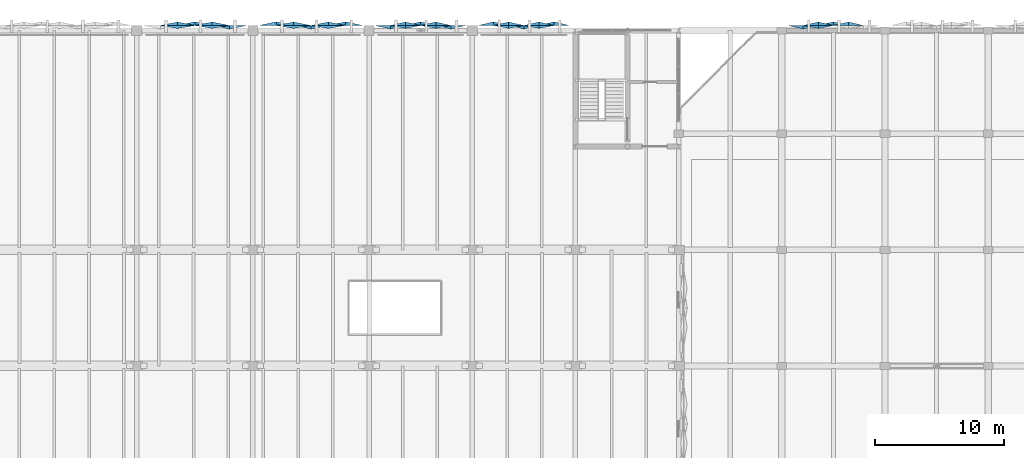
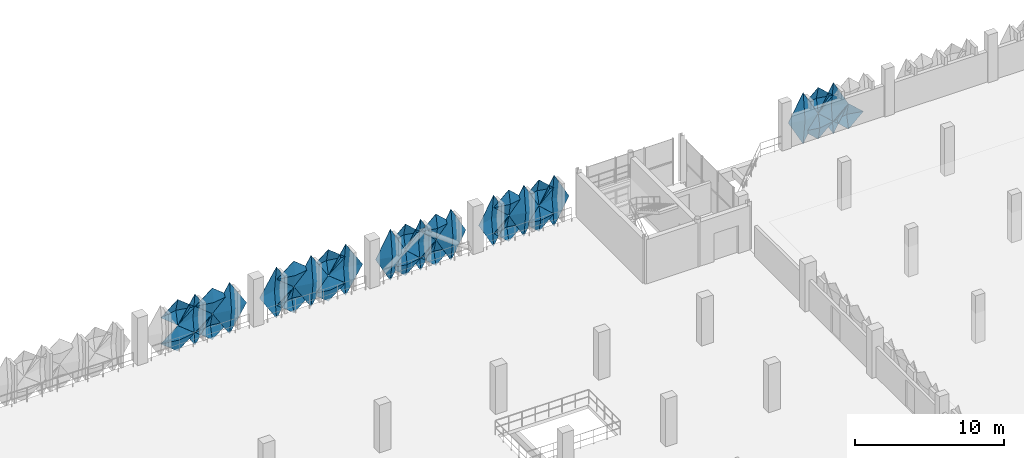
# One storey, part 104 of 123: 32 plates.
"""IFC4 building model written with IfcOpenShell, lengths in metres."""

import ifcopenshell
import ifcopenshell.guid

model = None  # the IFC model being written
_history = None  # IfcOwnerHistory: only IFC2X3 demands one
_inside = {}  # id of a spatial element -> (the spatial element, [elements in it])
_under = {}  # id of a project, library or spatial element -> (it, [spatial elements below it])
_declared = {}  # id of a project -> (the project, [libraries it declares])
_typed = {}  # id of a type object -> (the type object, [elements of that type])
_made_of = {}  # id of a material, layer set ... -> (it, [elements and type objects made of it])


def new_model(schema):
    """Start an empty IFC model of exactly this schema.

    Asked for "IFC4X3", IfcOpenShell would pick the latest addendum, in which some entities
    have other attributes; the version numbers below select the first issue.
    IFC2X3 requires an IfcOwnerHistory on every rooted entity: one is made here for all.
    """
    global model, _history
    if schema == "IFC4X3":
        model = ifcopenshell.file(schema_version=(4, 3, 0, 0))
    else:
        model = ifcopenshell.file(schema=schema)
    _inside.clear()
    _under.clear()
    _declared.clear()
    _typed.clear()
    _made_of.clear()
    _history = None
    if model.schema == "IFC2X3":
        org = make("IfcOrganization", Name="unknown")
        user = make(
            "IfcPersonAndOrganization",
            ThePerson=make("IfcPerson", FamilyName="unknown"),
            TheOrganization=org,
        )
        app = make(
            "IfcApplication",
            ApplicationDeveloper=org,
            Version="unknown",
            ApplicationFullName="unknown",
            ApplicationIdentifier="unknown",
        )
        _history = make(
            "IfcOwnerHistory",
            OwningUser=user,
            OwningApplication=app,
            ChangeAction="ADDED",
            CreationDate=0,
        )
    return model


def make(cls, **values):
    """One entity of the class cls with the attributes given. An attribute that is None is left unset."""
    return model.create_entity(
        cls, **{name: value for name, value in values.items() if value is not None}
    )


def rooted(cls, **values):
    """An entity with a GlobalId (a new one), such as an element, a storey or a relation."""
    return make(cls, GlobalId=ifcopenshell.guid.new(), OwnerHistory=_history, **values)


def si_unit(unit_type, name, prefix=None):
    """IfcSIUnit, for example si_unit("LENGTHUNIT", "METRE", prefix="MILLI")."""
    return make("IfcSIUnit", UnitType=unit_type, Prefix=prefix, Name=name)


def derived_unit(unit_type, elements):
    """IfcDerivedUnit: a product of units, each with its exponent."""
    return make(
        "IfcDerivedUnit",
        Elements=[
            make("IfcDerivedUnitElement", Unit=unit, Exponent=power)
            for unit, power in elements
        ],
        UnitType=unit_type,
    )


def assignment(units):
    """IfcUnitAssignment: the units of a project."""
    return None if units is None else make("IfcUnitAssignment", Units=units)


def point(xyz):
    """IfcCartesianPoint."""
    return None if xyz is None else make("IfcCartesianPoint", Coordinates=xyz)


def direction(xyz):
    """IfcDirection."""
    return None if xyz is None else make("IfcDirection", DirectionRatios=xyz)


def frame(location, z_axis=None, x_axis=None):
    """IfcAxis2Placement3D, a coordinate frame: its origin and axes. An axis left out is left unset."""
    return make(
        "IfcAxis2Placement3D",
        Location=point(location),
        Axis=direction(z_axis),
        RefDirection=direction(x_axis),
    )


def origin():
    """The frame at (0, 0, 0) with its axes left unset."""
    return frame((0.0, 0.0, 0.0))


def place(relative_to, where):
    """IfcLocalPlacement: puts the frame where relative to a parent placement (None: the world)."""
    return make(
        "IfcLocalPlacement", PlacementRelTo=relative_to, RelativePlacement=where
    )


def context(
    kind, dimensions, precision=None, world=None, true_north=None, identifier=None
):
    """IfcGeometricRepresentationContext, for example the 3D "Model" context."""
    return make(
        "IfcGeometricRepresentationContext",
        ContextIdentifier=identifier,
        ContextType=kind,
        CoordinateSpaceDimension=dimensions,
        Precision=precision,
        WorldCoordinateSystem=world,
        TrueNorth=true_north,
    )


def subcontext(parent, identifier, kind, view, scale=None):
    """IfcGeometricRepresentationSubContext, for example "Body" below "Model"."""
    return make(
        "IfcGeometricRepresentationSubContext",
        ContextIdentifier=identifier,
        ContextType=kind,
        ParentContext=parent,
        TargetScale=scale,
        TargetView=view,
    )


def project(units=None, contexts=None):
    """IfcProject with its units and contexts."""
    return rooted(
        "IfcProject",
        Name="project",
        RepresentationContexts=contexts,
        UnitsInContext=assignment(units),
    )


def spatial(cls, under=None, at=None, **own):
    """A site, building, storey or space (cls), placed at a placement, below another one or the project."""
    s = rooted(cls, ObjectPlacement=at, **own)
    if under is not None:
        _under.setdefault(under.id(), (under, []))[1].append(s)
    return s


def point_list(points):
    """IfcCartesianPointList2D or 3D."""
    cls = (
        "IfcCartesianPointList2D" if len(points[0]) == 2 else "IfcCartesianPointList3D"
    )
    return make(cls, CoordList=points)


def polygons(points, faces, closed=None, point_numbers=None):
    """IfcPolygonalFaceSet: a face is its outer loop, then its inner loops; points numbered from 1."""
    made = []
    for loops in faces:
        if len(loops) == 1:
            made.append(make("IfcIndexedPolygonalFace", CoordIndex=loops[0]))
        else:
            made.append(
                make(
                    "IfcIndexedPolygonalFaceWithVoids",
                    CoordIndex=loops[0],
                    InnerCoordIndices=loops[1:],
                )
            )
    return make(
        "IfcPolygonalFaceSet",
        Coordinates=point_list(points),
        Closed=closed,
        Faces=made,
        PnIndex=point_numbers,
    )


def shape(context_of_items, identifier, shape_type, items):
    """IfcShapeRepresentation: the items that make up one representation, for example the "Body"."""
    return make(
        "IfcShapeRepresentation",
        ContextOfItems=context_of_items,
        RepresentationIdentifier=identifier,
        RepresentationType=shape_type,
        Items=items,
    )


def material(Name=None, Category=None):
    """IfcMaterial."""
    return make("IfcMaterial", Name=Name, Category=Category)


def layer(
    of_material, thickness, ventilated=None, Name=None, Category=None, Priority=None
):
    """IfcMaterialLayer: one layer of a wall or slab, of a material (None: an air gap)."""
    return make(
        "IfcMaterialLayer",
        Material=of_material,
        LayerThickness=thickness,
        IsVentilated=ventilated,
        Name=Name,
        Category=Category,
        Priority=Priority,
    )


def layer_set(layers, Name=None):
    """IfcMaterialLayerSet."""
    return make("IfcMaterialLayerSet", MaterialLayers=layers, LayerSetName=Name)


def made_of(thing, what):
    """Note that an element or type object is made of a material, layer set ...; save() writes the relation."""
    if what is not None:
        _made_of.setdefault(what.id(), (what, []))[1].append(thing)
    return thing


def type_object(cls, material=None, **own):
    """A type object (cls), such as IfcWallType, which elements share."""
    return made_of(rooted(cls, **own), material)


def element(
    cls,
    number,
    at=None,
    inside=None,
    cuts=None,
    type_object=None,
    material=None,
    context=None,
    identifier="Body",
    shape_type=None,
    held_by="IfcProductDefinitionShape",
    body=None,
    shapes=None,
    **own,
):
    """One element of the class cls, such as IfcWall. Its Tag is "e" and its number.

    at: its placement. inside: the storey or other place that contains it. cuts: it is an
    opening in that element (IfcRelVoidsElement). A single representation is given by context,
    identifier, shape_type and body (its items); several are given by shapes. held_by: the class
    of the entity that holds the representations. save() writes the other relations.
    """
    e = rooted(cls, Tag="e%d" % number, ObjectPlacement=at, **own)
    if body is not None:
        shapes = [shape(context, identifier, shape_type, body)]
    if shapes is not None:
        e.Representation = make(held_by, Representations=shapes)
    if inside is not None:
        _inside.setdefault(inside.id(), (inside, []))[1].append(e)
    if cuts is not None:
        rooted(
            "IfcRelVoidsElement", RelatingBuildingElement=cuts, RelatedOpeningElement=e
        )
    if type_object is not None:
        _typed.setdefault(type_object.id(), (type_object, []))[1].append(e)
    return made_of(e, material)


def aggregate(whole, parts):
    """IfcRelAggregates: a whole, such as a stair, and the parts it consists of."""
    return rooted("IfcRelAggregates", RelatingObject=whole, RelatedObjects=parts)


def save(model, path):
    """Write the relations noted so far, then the file.

    IfcRelAggregates (storeys below a building ...), IfcRelContainedInSpatialStructure (elements
    in a storey), IfcRelDefinesByType, IfcRelAssociatesMaterial and IfcRelDeclares: one each for
    every whole, place, type object, material and project.
    """
    for whole, parts in _under.values():
        aggregate(whole, parts)
    for where, things in _inside.values():
        rooted(
            "IfcRelContainedInSpatialStructure",
            RelatedElements=things,
            RelatingStructure=where,
        )
    for kind, things in _typed.values():
        rooted("IfcRelDefinesByType", RelatedObjects=things, RelatingType=kind)
    for what, things in _made_of.values():
        rooted("IfcRelAssociatesMaterial", RelatedObjects=things, RelatingMaterial=what)
    for by, libraries in _declared.values():
        rooted("IfcRelDeclares", RelatingContext=by, RelatedDefinitions=libraries)
    model.write(path)


model = new_model("IFC4")

# Units and contexts
model_context = context("Model", 3, precision=1e-05, world=origin(), true_north=direction((0.0, 1.0)))
body_context = subcontext(model_context, "Body", "Model", "MODEL_VIEW")
ifc_project = project(units=[si_unit("LENGTHUNIT", "METRE"), si_unit("AREAUNIT", "SQUARE_METRE"), si_unit("VOLUMEUNIT", "CUBIC_METRE"), si_unit("PLANEANGLEUNIT", "RADIAN"), si_unit("MASSUNIT", "GRAM", prefix="KILO"), si_unit("THERMODYNAMICTEMPERATUREUNIT", "KELVIN"), derived_unit("THERMALTRANSMITTANCEUNIT", [(si_unit("POWERUNIT", "WATT"), 1), (si_unit("AREAUNIT", "SQUARE_METRE"), -1), (si_unit("THERMODYNAMICTEMPERATUREUNIT", "KELVIN"), -1)])], contexts=[model_context])

# Site, building, storey
site_placement = place(None, origin())
site = spatial("IfcSite", under=ifc_project, at=site_placement, CompositionType="ELEMENT")
building_placement = place(site_placement, origin())
building = spatial("IfcBuilding", under=site, at=building_placement, Name="Haiyu Intermodal Mobility Hub", CompositionType="ELEMENT")
storey_placement = place(building_placement, frame((0.0, 0.0, 5.60009765625)))
storey = spatial("IfcBuildingStorey", under=building, at=storey_placement, Name="L01", CompositionType="ELEMENT", Elevation=5.60009765625)

# Plates
ifc_material = material(Name="Anodised aluminium 6063-T6", Category="aluminium")
ifc_layer_1 = layer(ifc_material, 0.01806640625)
ifc_layer_set_1 = layer_set([ifc_layer_1], Name="Anodised aluminium 6063-T6")
plate_type_1 = type_object("IfcPlateType", Name="PLT-FC03", PredefinedType="USERDEFINED", material=ifc_layer_set_1)
plate_1_placement = place(storey_placement, origin())
element("IfcPlate", 1, at=plate_1_placement, inside=storey, type_object=plate_type_1, Name="PLT-PYR-0382", ObjectType="FACADE CASSETTE", PredefinedType="USERDEFINED", context=body_context, shape_type="Tessellation", body=[
    polygons([(125.840087890625, 148.39990234375, -0.52001953125), (124.52001953125, 148.39990234375, 0.52978515625), (125.840087890625, 148.39990234375, 1.579833984375), (127.159912109375, 148.39990234375, 0.52978515625), (125.840087890625, 148.659912109375, 0.52978515625), (125.840087890625, 148.3779296875, -0.52001953125), (124.52001953125, 148.3779296875, 0.52978515625), (125.840087890625, 148.3779296875, 1.579833984375), (127.159912109375, 148.3779296875, 0.52978515625), (125.840087890625, 148.637939453125, 0.52978515625)], [[[1, 2, 5]], [[2, 3, 5]], [[3, 4, 5]], [[4, 1, 5]], [[7, 6, 10]], [[8, 7, 10]], [[9, 8, 10]], [[6, 9, 10]], [[1, 6, 7, 2]], [[2, 7, 8, 3]], [[3, 8, 9, 4]], [[4, 9, 6, 1]]], closed=True),
])
plate_2_placement = place(storey_placement, origin())
element("IfcPlate", 2, at=plate_2_placement, inside=storey, type_object=plate_type_1, Name="PLT-PYR-0416", ObjectType="FACADE CASSETTE", PredefinedType="USERDEFINED", context=body_context, shape_type="Tessellation", body=[
    polygons([(136.179931640625, 148.39990234375, -0.510009765625), (134.860107421875, 148.39990234375, 1.599853515625), (136.179931640625, 148.39990234375, 3.7099609375), (137.5, 148.39990234375, 1.599853515625), (136.179931640625, 148.679931640625, 1.599853515625), (136.179931640625, 148.3779296875, -0.510009765625), (134.860107421875, 148.3779296875, 1.599853515625), (136.179931640625, 148.3779296875, 3.7099609375), (137.5, 148.3779296875, 1.599853515625), (136.179931640625, 148.657958984375, 1.599853515625)], [[[1, 2, 5]], [[2, 3, 5]], [[3, 4, 5]], [[4, 1, 5]], [[7, 6, 10]], [[8, 7, 10]], [[9, 8, 10]], [[6, 9, 10]], [[1, 6, 7, 2]], [[2, 7, 8, 3]], [[3, 8, 9, 4]], [[4, 9, 6, 1]]], closed=True),
])
plate_3_placement = place(storey_placement, origin())
element("IfcPlate", 3, at=plate_3_placement, inside=storey, type_object=plate_type_1, Name="PLT-PYR-0420", ObjectType="FACADE CASSETTE", PredefinedType="USERDEFINED", context=body_context, shape_type="Tessellation", body=[
    polygons([(132.159912109375, 148.39990234375, -0.52001953125), (130.840087890625, 148.39990234375, 0.52978515625), (132.159912109375, 148.39990234375, 1.579833984375), (133.47998046875, 148.39990234375, 0.52978515625), (132.159912109375, 148.659912109375, 0.52978515625), (132.159912109375, 148.3779296875, -0.52001953125), (130.840087890625, 148.3779296875, 0.52978515625), (132.159912109375, 148.3779296875, 1.579833984375), (133.47998046875, 148.3779296875, 0.52978515625), (132.159912109375, 148.637939453125, 0.52978515625)], [[[1, 2, 5]], [[2, 3, 5]], [[3, 4, 5]], [[4, 1, 5]], [[7, 6, 10]], [[8, 7, 10]], [[9, 8, 10]], [[6, 9, 10]], [[1, 6, 7, 2]], [[2, 7, 8, 3]], [[3, 8, 9, 4]], [[4, 9, 6, 1]]], closed=True),
])
plate_4_placement = place(storey_placement, origin())
element("IfcPlate", 4, at=plate_4_placement, inside=storey, type_object=plate_type_1, Name="PLT-PYR-0452", ObjectType="FACADE CASSETTE", PredefinedType="USERDEFINED", context=body_context, shape_type="Tessellation", body=[
    polygons([(143.173095703125, 148.39990234375, -0.52001953125), (142.02001953125, 148.39990234375, 0.52978515625), (143.173095703125, 148.39990234375, 1.579833984375), (144.326904296875, 148.39990234375, 0.52978515625), (143.173095703125, 148.659912109375, 0.52978515625), (143.173095703125, 148.3779296875, -0.52001953125), (142.02001953125, 148.3779296875, 0.52978515625), (143.173095703125, 148.3779296875, 1.579833984375), (144.326904296875, 148.3779296875, 0.52978515625), (143.173095703125, 148.637939453125, 0.52978515625)], [[[1, 2, 5]], [[2, 3, 5]], [[3, 4, 5]], [[4, 1, 5]], [[7, 6, 10]], [[8, 7, 10]], [[9, 8, 10]], [[6, 9, 10]], [[1, 6, 7, 2]], [[2, 7, 8, 3]], [[3, 8, 9, 4]], [[4, 9, 6, 1]]], closed=True),
])
plate_5_placement = place(storey_placement, origin())
element("IfcPlate", 5, at=plate_5_placement, inside=storey, type_object=plate_type_1, Name="PLT-PYR-0486", ObjectType="FACADE CASSETTE", PredefinedType="USERDEFINED", context=body_context, shape_type="Tessellation", body=[
    polygons([(152.346923828125, 148.39990234375, -0.510009765625), (151.193115234375, 148.39990234375, 1.599853515625), (152.346923828125, 148.39990234375, 3.7099609375), (153.5, 148.39990234375, 1.599853515625), (152.346923828125, 148.679931640625, 1.599853515625), (152.346923828125, 148.3779296875, -0.510009765625), (151.193115234375, 148.3779296875, 1.599853515625), (152.346923828125, 148.3779296875, 3.7099609375), (153.5, 148.3779296875, 1.599853515625), (152.346923828125, 148.657958984375, 1.599853515625)], [[[1, 2, 5]], [[2, 3, 5]], [[3, 4, 5]], [[4, 1, 5]], [[7, 6, 10]], [[8, 7, 10]], [[9, 8, 10]], [[6, 9, 10]], [[1, 6, 7, 2]], [[2, 7, 8, 3]], [[3, 8, 9, 4]], [[4, 9, 6, 1]]], closed=True),
])
plate_6_placement = place(storey_placement, origin())
element("IfcPlate", 6, at=plate_6_placement, inside=storey, type_object=plate_type_1, Name="PLT-PYR-0490", ObjectType="FACADE CASSETTE", PredefinedType="USERDEFINED", context=body_context, shape_type="Tessellation", body=[
    polygons([(148.826904296875, 148.39990234375, -0.52001953125), (147.673095703125, 148.39990234375, 0.52978515625), (148.826904296875, 148.39990234375, 1.579833984375), (149.97998046875, 148.39990234375, 0.52978515625), (148.826904296875, 148.659912109375, 0.52978515625), (148.826904296875, 148.3779296875, -0.52001953125), (147.673095703125, 148.3779296875, 0.52978515625), (148.826904296875, 148.3779296875, 1.579833984375), (149.97998046875, 148.3779296875, 0.52978515625), (148.826904296875, 148.637939453125, 0.52978515625)], [[[1, 2, 5]], [[2, 3, 5]], [[3, 4, 5]], [[4, 1, 5]], [[7, 6, 10]], [[8, 7, 10]], [[9, 8, 10]], [[6, 9, 10]], [[1, 6, 7, 2]], [[2, 7, 8, 3]], [[3, 8, 9, 4]], [[4, 9, 6, 1]]], closed=True),
])
plate_7_placement = place(storey_placement, origin())
element("IfcPlate", 7, at=plate_7_placement, inside=storey, type_object=plate_type_1, Name="PLT-PYR-1072", ObjectType="FACADE CASSETTE", PredefinedType="USERDEFINED", context=body_context, shape_type="Tessellation", body=[
    polygons([(175.173095703125, 148.39990234375, -0.52001953125), (174.02001953125, 148.39990234375, 0.52978515625), (175.173095703125, 148.39990234375, 1.579833984375), (176.326904296875, 148.39990234375, 0.52978515625), (175.173095703125, 148.659912109375, 0.52978515625), (175.173095703125, 148.3779296875, -0.52001953125), (174.02001953125, 148.3779296875, 0.52978515625), (175.173095703125, 148.3779296875, 1.579833984375), (176.326904296875, 148.3779296875, 0.52978515625), (175.173095703125, 148.637939453125, 0.52978515625)], [[[1, 2, 5]], [[2, 3, 5]], [[3, 4, 5]], [[4, 1, 5]], [[7, 6, 10]], [[8, 7, 10]], [[9, 8, 10]], [[6, 9, 10]], [[1, 6, 7, 2]], [[2, 7, 8, 3]], [[3, 8, 9, 4]], [[4, 9, 6, 1]]], closed=True),
])
ifc_layer_2 = layer(ifc_material, 0.02001953125)
ifc_layer_set_2 = layer_set([ifc_layer_2], Name="Anodised aluminium 6063-T6")
plate_type_2 = type_object("IfcPlateType", Name="PLT-FC04", PredefinedType="USERDEFINED", material=ifc_layer_set_2)
plate_8_placement = place(storey_placement, origin())
element("IfcPlate", 8, at=plate_8_placement, inside=storey, type_object=plate_type_2, Name="PLT-PYR-0381", ObjectType="FACADE CASSETTE", PredefinedType="USERDEFINED", context=body_context, shape_type="Tessellation", body=[
    polygons([(127.179931640625, 148.39990234375, -0.510009765625), (125.860107421875, 148.39990234375, 1.599853515625), (127.179931640625, 148.39990234375, 3.7099609375), (128.5, 148.39990234375, 1.599853515625), (127.179931640625, 148.139892578125, 1.599853515625), (127.179931640625, 148.3779296875, -0.510009765625), (125.860107421875, 148.3779296875, 1.599853515625), (127.179931640625, 148.3779296875, 3.7099609375), (128.5, 148.3779296875, 1.599853515625), (127.179931640625, 148.117919921875, 1.599853515625)], [[[1, 2, 5]], [[2, 3, 5]], [[3, 4, 5]], [[4, 1, 5]], [[7, 6, 10]], [[8, 7, 10]], [[9, 8, 10]], [[6, 9, 10]], [[1, 6, 7, 2]], [[2, 7, 8, 3]], [[3, 8, 9, 4]], [[4, 9, 6, 1]]], closed=True),
])
plate_9_placement = place(storey_placement, origin())
element("IfcPlate", 9, at=plate_9_placement, inside=storey, type_object=plate_type_2, Name="PLT-PYR-0385", ObjectType="FACADE CASSETTE", PredefinedType="USERDEFINED", context=body_context, shape_type="Tessellation", body=[
    polygons([(123.159912109375, 148.39990234375, -0.52001953125), (121.840087890625, 148.39990234375, 0.52978515625), (123.159912109375, 148.39990234375, 1.579833984375), (124.47998046875, 148.39990234375, 0.52978515625), (123.159912109375, 148.179931640625, 0.52978515625), (123.159912109375, 148.3779296875, -0.52001953125), (121.840087890625, 148.3779296875, 0.52978515625), (123.159912109375, 148.3779296875, 1.579833984375), (124.47998046875, 148.3779296875, 0.52978515625), (123.159912109375, 148.157958984375, 0.52978515625)], [[[1, 2, 5]], [[2, 3, 5]], [[3, 4, 5]], [[4, 1, 5]], [[7, 6, 10]], [[8, 7, 10]], [[9, 8, 10]], [[6, 9, 10]], [[1, 6, 7, 2]], [[2, 7, 8, 3]], [[3, 8, 9, 4]], [[4, 9, 6, 1]]], closed=True),
])
plate_10_placement = place(storey_placement, origin())
element("IfcPlate", 10, at=plate_10_placement, inside=storey, type_object=plate_type_2, Name="PLT-PYR-0417", ObjectType="FACADE CASSETTE", PredefinedType="USERDEFINED", context=body_context, shape_type="Tessellation", body=[
    polygons([(134.840087890625, 148.39990234375, -0.52001953125), (133.52001953125, 148.39990234375, 0.52978515625), (134.840087890625, 148.39990234375, 1.579833984375), (136.159912109375, 148.39990234375, 0.52978515625), (134.840087890625, 148.179931640625, 0.52978515625), (134.840087890625, 148.3779296875, -0.52001953125), (133.52001953125, 148.3779296875, 0.52978515625), (134.840087890625, 148.3779296875, 1.579833984375), (136.159912109375, 148.3779296875, 0.52978515625), (134.840087890625, 148.157958984375, 0.52978515625)], [[[1, 2, 5]], [[2, 3, 5]], [[3, 4, 5]], [[4, 1, 5]], [[7, 6, 10]], [[8, 7, 10]], [[9, 8, 10]], [[6, 9, 10]], [[1, 6, 7, 2]], [[2, 7, 8, 3]], [[3, 8, 9, 4]], [[4, 9, 6, 1]]], closed=True),
])
plate_11_placement = place(storey_placement, origin())
element("IfcPlate", 11, at=plate_11_placement, inside=storey, type_object=plate_type_2, Name="PLT-PYR-0451", ObjectType="FACADE CASSETTE", PredefinedType="USERDEFINED", context=body_context, shape_type="Tessellation", body=[
    polygons([(144.346923828125, 148.39990234375, -0.510009765625), (143.193115234375, 148.39990234375, 1.599853515625), (144.346923828125, 148.39990234375, 3.7099609375), (145.5, 148.39990234375, 1.599853515625), (144.346923828125, 148.139892578125, 1.599853515625), (144.346923828125, 148.3779296875, -0.510009765625), (143.193115234375, 148.3779296875, 1.599853515625), (144.346923828125, 148.3779296875, 3.7099609375), (145.5, 148.3779296875, 1.599853515625), (144.346923828125, 148.117919921875, 1.599853515625)], [[[1, 2, 5]], [[2, 3, 5]], [[3, 4, 5]], [[4, 1, 5]], [[7, 6, 10]], [[8, 7, 10]], [[9, 8, 10]], [[6, 9, 10]], [[1, 6, 7, 2]], [[2, 7, 8, 3]], [[3, 8, 9, 4]], [[4, 9, 6, 1]]], closed=True),
])
plate_12_placement = place(storey_placement, origin())
element("IfcPlate", 12, at=plate_12_placement, inside=storey, type_object=plate_type_2, Name="PLT-PYR-0455", ObjectType="FACADE CASSETTE", PredefinedType="USERDEFINED", context=body_context, shape_type="Tessellation", body=[
    polygons([(140.826904296875, 148.39990234375, -0.52001953125), (139.673095703125, 148.39990234375, 0.52978515625), (140.826904296875, 148.39990234375, 1.579833984375), (141.97998046875, 148.39990234375, 0.52978515625), (140.826904296875, 148.179931640625, 0.52978515625), (140.826904296875, 148.3779296875, -0.52001953125), (139.673095703125, 148.3779296875, 0.52978515625), (140.826904296875, 148.3779296875, 1.579833984375), (141.97998046875, 148.3779296875, 0.52978515625), (140.826904296875, 148.157958984375, 0.52978515625)], [[[1, 2, 5]], [[2, 3, 5]], [[3, 4, 5]], [[4, 1, 5]], [[7, 6, 10]], [[8, 7, 10]], [[9, 8, 10]], [[6, 9, 10]], [[1, 6, 7, 2]], [[2, 7, 8, 3]], [[3, 8, 9, 4]], [[4, 9, 6, 1]]], closed=True),
])
plate_13_placement = place(storey_placement, origin())
element("IfcPlate", 13, at=plate_13_placement, inside=storey, type_object=plate_type_2, Name="PLT-PYR-0487", ObjectType="FACADE CASSETTE", PredefinedType="USERDEFINED", context=body_context, shape_type="Tessellation", body=[
    polygons([(151.173095703125, 148.39990234375, -0.52001953125), (150.02001953125, 148.39990234375, 0.52978515625), (151.173095703125, 148.39990234375, 1.579833984375), (152.326904296875, 148.39990234375, 0.52978515625), (151.173095703125, 148.179931640625, 0.52978515625), (151.173095703125, 148.3779296875, -0.52001953125), (150.02001953125, 148.3779296875, 0.52978515625), (151.173095703125, 148.3779296875, 1.579833984375), (152.326904296875, 148.3779296875, 0.52978515625), (151.173095703125, 148.157958984375, 0.52978515625)], [[[1, 2, 5]], [[2, 3, 5]], [[3, 4, 5]], [[4, 1, 5]], [[7, 6, 10]], [[8, 7, 10]], [[9, 8, 10]], [[6, 9, 10]], [[1, 6, 7, 2]], [[2, 7, 8, 3]], [[3, 8, 9, 4]], [[4, 9, 6, 1]]], closed=True),
])
plate_14_placement = place(storey_placement, origin())
element("IfcPlate", 14, at=plate_14_placement, inside=storey, type_object=plate_type_2, Name="PLT-PYR-1075", ObjectType="FACADE CASSETTE", PredefinedType="USERDEFINED", context=body_context, shape_type="Tessellation", body=[
    polygons([(172.826904296875, 148.39990234375, -0.52001953125), (171.673095703125, 148.39990234375, 0.52978515625), (172.826904296875, 148.39990234375, 1.579833984375), (173.97998046875, 148.39990234375, 0.52978515625), (172.826904296875, 148.179931640625, 0.52978515625), (172.826904296875, 148.3779296875, -0.52001953125), (171.673095703125, 148.3779296875, 0.52978515625), (172.826904296875, 148.3779296875, 1.579833984375), (173.97998046875, 148.3779296875, 0.52978515625), (172.826904296875, 148.157958984375, 0.52978515625)], [[[1, 2, 5]], [[2, 3, 5]], [[3, 4, 5]], [[4, 1, 5]], [[7, 6, 10]], [[8, 7, 10]], [[9, 8, 10]], [[6, 9, 10]], [[1, 6, 7, 2]], [[2, 7, 8, 3]], [[3, 8, 9, 4]], [[4, 9, 6, 1]]], closed=True),
])
ifc_layer_3 = layer(ifc_material, 0.01806640625)
ifc_layer_set_3 = layer_set([ifc_layer_3], Name="Anodised aluminium 6063-T6")
plate_type_3 = type_object("IfcPlateType", Name="PLT-FC05", PredefinedType="USERDEFINED", material=ifc_layer_set_3)
plate_15_placement = place(storey_placement, origin())
element("IfcPlate", 15, at=plate_15_placement, inside=storey, type_object=plate_type_3, Name="PLT-PYR-0384", ObjectType="FACADE CASSETTE", PredefinedType="USERDEFINED", context=body_context, shape_type="Tessellation", body=[
    polygons([(124.5, 148.39990234375, -0.510009765625), (123.179931640625, 148.39990234375, 1.599853515625), (124.5, 148.39990234375, 3.7099609375), (125.820068359375, 148.39990234375, 1.599853515625), (124.5, 148.679931640625, 1.599853515625), (124.5, 148.3779296875, -0.510009765625), (123.179931640625, 148.3779296875, 1.599853515625), (124.5, 148.3779296875, 3.7099609375), (125.820068359375, 148.3779296875, 1.599853515625), (124.5, 148.657958984375, 1.599853515625)], [[[1, 2, 5]], [[2, 3, 5]], [[3, 4, 5]], [[4, 1, 5]], [[7, 6, 10]], [[8, 7, 10]], [[9, 8, 10]], [[6, 9, 10]], [[1, 6, 7, 2]], [[2, 7, 8, 3]], [[3, 8, 9, 4]], [[4, 9, 6, 1]]], closed=True),
])
plate_16_placement = place(storey_placement, origin())
element("IfcPlate", 16, at=plate_16_placement, inside=storey, type_object=plate_type_3, Name="PLT-PYR-0386", ObjectType="FACADE CASSETTE", PredefinedType="USERDEFINED", context=body_context, shape_type="Tessellation", body=[
    polygons([(123.159912109375, 148.39990234375, 1.619873046875), (121.840087890625, 148.39990234375, 2.669921875), (123.159912109375, 148.39990234375, 3.719970703125), (124.47998046875, 148.39990234375, 2.669921875), (123.159912109375, 148.659912109375, 2.669921875), (123.159912109375, 148.3779296875, 1.619873046875), (121.840087890625, 148.3779296875, 2.669921875), (123.159912109375, 148.3779296875, 3.719970703125), (124.47998046875, 148.3779296875, 2.669921875), (123.159912109375, 148.637939453125, 2.669921875)], [[[1, 2, 5]], [[2, 3, 5]], [[3, 4, 5]], [[4, 1, 5]], [[7, 6, 10]], [[8, 7, 10]], [[9, 8, 10]], [[6, 9, 10]], [[1, 6, 7, 2]], [[2, 7, 8, 3]], [[3, 8, 9, 4]], [[4, 9, 6, 1]]], closed=True),
])
plate_17_placement = place(storey_placement, origin())
element("IfcPlate", 17, at=plate_17_placement, inside=storey, type_object=plate_type_3, Name="PLT-PYR-0418", ObjectType="FACADE CASSETTE", PredefinedType="USERDEFINED", context=body_context, shape_type="Tessellation", body=[
    polygons([(134.840087890625, 148.39990234375, 1.619873046875), (133.52001953125, 148.39990234375, 2.669921875), (134.840087890625, 148.39990234375, 3.719970703125), (136.159912109375, 148.39990234375, 2.669921875), (134.840087890625, 148.659912109375, 2.669921875), (134.840087890625, 148.3779296875, 1.619873046875), (133.52001953125, 148.3779296875, 2.669921875), (134.840087890625, 148.3779296875, 3.719970703125), (136.159912109375, 148.3779296875, 2.669921875), (134.840087890625, 148.637939453125, 2.669921875)], [[[1, 2, 5]], [[2, 3, 5]], [[3, 4, 5]], [[4, 1, 5]], [[7, 6, 10]], [[8, 7, 10]], [[9, 8, 10]], [[6, 9, 10]], [[1, 6, 7, 2]], [[2, 7, 8, 3]], [[3, 8, 9, 4]], [[4, 9, 6, 1]]], closed=True),
])
plate_18_placement = place(storey_placement, origin())
element("IfcPlate", 18, at=plate_18_placement, inside=storey, type_object=plate_type_3, Name="PLT-PYR-0454", ObjectType="FACADE CASSETTE", PredefinedType="USERDEFINED", context=body_context, shape_type="Tessellation", body=[
    polygons([(142.0, 148.39990234375, -0.510009765625), (140.846923828125, 148.39990234375, 1.599853515625), (142.0, 148.39990234375, 3.7099609375), (143.153076171875, 148.39990234375, 1.599853515625), (142.0, 148.679931640625, 1.599853515625), (142.0, 148.3779296875, -0.510009765625), (140.846923828125, 148.3779296875, 1.599853515625), (142.0, 148.3779296875, 3.7099609375), (143.153076171875, 148.3779296875, 1.599853515625), (142.0, 148.657958984375, 1.599853515625)], [[[1, 2, 5]], [[2, 3, 5]], [[3, 4, 5]], [[4, 1, 5]], [[7, 6, 10]], [[8, 7, 10]], [[9, 8, 10]], [[6, 9, 10]], [[1, 6, 7, 2]], [[2, 7, 8, 3]], [[3, 8, 9, 4]], [[4, 9, 6, 1]]], closed=True),
])
plate_19_placement = place(storey_placement, origin())
element("IfcPlate", 19, at=plate_19_placement, inside=storey, type_object=plate_type_3, Name="PLT-PYR-0456", ObjectType="FACADE CASSETTE", PredefinedType="USERDEFINED", context=body_context, shape_type="Tessellation", body=[
    polygons([(140.826904296875, 148.39990234375, 1.619873046875), (139.673095703125, 148.39990234375, 2.669921875), (140.826904296875, 148.39990234375, 3.719970703125), (141.97998046875, 148.39990234375, 2.669921875), (140.826904296875, 148.659912109375, 2.669921875), (140.826904296875, 148.3779296875, 1.619873046875), (139.673095703125, 148.3779296875, 2.669921875), (140.826904296875, 148.3779296875, 3.719970703125), (141.97998046875, 148.3779296875, 2.669921875), (140.826904296875, 148.637939453125, 2.669921875)], [[[1, 2, 5]], [[2, 3, 5]], [[3, 4, 5]], [[4, 1, 5]], [[7, 6, 10]], [[8, 7, 10]], [[9, 8, 10]], [[6, 9, 10]], [[1, 6, 7, 2]], [[2, 7, 8, 3]], [[3, 8, 9, 4]], [[4, 9, 6, 1]]], closed=True),
])
plate_20_placement = place(storey_placement, origin())
element("IfcPlate", 20, at=plate_20_placement, inside=storey, type_object=plate_type_3, Name="PLT-PYR-0488", ObjectType="FACADE CASSETTE", PredefinedType="USERDEFINED", context=body_context, shape_type="Tessellation", body=[
    polygons([(151.173095703125, 148.39990234375, 1.619873046875), (150.02001953125, 148.39990234375, 2.669921875), (151.173095703125, 148.39990234375, 3.719970703125), (152.326904296875, 148.39990234375, 2.669921875), (151.173095703125, 148.659912109375, 2.669921875), (151.173095703125, 148.3779296875, 1.619873046875), (150.02001953125, 148.3779296875, 2.669921875), (151.173095703125, 148.3779296875, 3.719970703125), (152.326904296875, 148.3779296875, 2.669921875), (151.173095703125, 148.637939453125, 2.669921875)], [[[1, 2, 5]], [[2, 3, 5]], [[3, 4, 5]], [[4, 1, 5]], [[7, 6, 10]], [[8, 7, 10]], [[9, 8, 10]], [[6, 9, 10]], [[1, 6, 7, 2]], [[2, 7, 8, 3]], [[3, 8, 9, 4]], [[4, 9, 6, 1]]], closed=True),
])
plate_21_placement = place(storey_placement, origin())
element("IfcPlate", 21, at=plate_21_placement, inside=storey, type_object=plate_type_3, Name="PLT-PYR-1074", ObjectType="FACADE CASSETTE", PredefinedType="USERDEFINED", context=body_context, shape_type="Tessellation", body=[
    polygons([(174.0, 148.39990234375, -0.510009765625), (172.846923828125, 148.39990234375, 1.599853515625), (174.0, 148.39990234375, 3.7099609375), (175.153076171875, 148.39990234375, 1.599853515625), (174.0, 148.679931640625, 1.599853515625), (174.0, 148.3779296875, -0.510009765625), (172.846923828125, 148.3779296875, 1.599853515625), (174.0, 148.3779296875, 3.7099609375), (175.153076171875, 148.3779296875, 1.599853515625), (174.0, 148.657958984375, 1.599853515625)], [[[1, 2, 5]], [[2, 3, 5]], [[3, 4, 5]], [[4, 1, 5]], [[7, 6, 10]], [[8, 7, 10]], [[9, 8, 10]], [[6, 9, 10]], [[1, 6, 7, 2]], [[2, 7, 8, 3]], [[3, 8, 9, 4]], [[4, 9, 6, 1]]], closed=True),
])
plate_22_placement = place(storey_placement, origin())
element("IfcPlate", 22, at=plate_22_placement, inside=storey, type_object=plate_type_3, Name="PLT-PYR-1076", ObjectType="FACADE CASSETTE", PredefinedType="USERDEFINED", context=body_context, shape_type="Tessellation", body=[
    polygons([(172.826904296875, 148.39990234375, 1.619873046875), (171.673095703125, 148.39990234375, 2.669921875), (172.826904296875, 148.39990234375, 3.719970703125), (173.97998046875, 148.39990234375, 2.669921875), (172.826904296875, 148.659912109375, 2.669921875), (172.826904296875, 148.3779296875, 1.619873046875), (171.673095703125, 148.3779296875, 2.669921875), (172.826904296875, 148.3779296875, 3.719970703125), (173.97998046875, 148.3779296875, 2.669921875), (172.826904296875, 148.637939453125, 2.669921875)], [[[1, 2, 5]], [[2, 3, 5]], [[3, 4, 5]], [[4, 1, 5]], [[7, 6, 10]], [[8, 7, 10]], [[9, 8, 10]], [[6, 9, 10]], [[1, 6, 7, 2]], [[2, 7, 8, 3]], [[3, 8, 9, 4]], [[4, 9, 6, 1]]], closed=True),
])
ifc_layer_4 = layer(ifc_material, 0.02001953125)
ifc_layer_set_4 = layer_set([ifc_layer_4], Name="Anodised aluminium 6063-T6")
plate_type_4 = type_object("IfcPlateType", Name="PLT-FC06", PredefinedType="USERDEFINED", material=ifc_layer_set_4)
plate_23_placement = place(storey_placement, origin())
element("IfcPlate", 23, at=plate_23_placement, inside=storey, type_object=plate_type_4, Name="PLT-PYR-0383", ObjectType="FACADE CASSETTE", PredefinedType="USERDEFINED", context=body_context, shape_type="Tessellation", body=[
    polygons([(125.840087890625, 148.39990234375, 1.619873046875), (124.52001953125, 148.39990234375, 2.669921875), (125.840087890625, 148.39990234375, 3.719970703125), (127.159912109375, 148.39990234375, 2.669921875), (125.840087890625, 148.179931640625, 2.669921875), (125.840087890625, 148.3779296875, 1.619873046875), (124.52001953125, 148.3779296875, 2.669921875), (125.840087890625, 148.3779296875, 3.719970703125), (127.159912109375, 148.3779296875, 2.669921875), (125.840087890625, 148.157958984375, 2.669921875)], [[[1, 2, 5]], [[2, 3, 5]], [[3, 4, 5]], [[4, 1, 5]], [[7, 6, 10]], [[8, 7, 10]], [[9, 8, 10]], [[6, 9, 10]], [[1, 6, 7, 2]], [[2, 7, 8, 3]], [[3, 8, 9, 4]], [[4, 9, 6, 1]]], closed=True),
])
plate_24_placement = place(storey_placement, origin())
element("IfcPlate", 24, at=plate_24_placement, inside=storey, type_object=plate_type_4, Name="PLT-PYR-0419", ObjectType="FACADE CASSETTE", PredefinedType="USERDEFINED", context=body_context, shape_type="Tessellation", body=[
    polygons([(133.5, 148.39990234375, -0.510009765625), (132.179931640625, 148.39990234375, 1.599853515625), (133.5, 148.39990234375, 3.7099609375), (134.820068359375, 148.39990234375, 1.599853515625), (133.5, 148.139892578125, 1.599853515625), (133.5, 148.3779296875, -0.510009765625), (132.179931640625, 148.3779296875, 1.599853515625), (133.5, 148.3779296875, 3.7099609375), (134.820068359375, 148.3779296875, 1.599853515625), (133.5, 148.117919921875, 1.599853515625)], [[[1, 2, 5]], [[2, 3, 5]], [[3, 4, 5]], [[4, 1, 5]], [[7, 6, 10]], [[8, 7, 10]], [[9, 8, 10]], [[6, 9, 10]], [[1, 6, 7, 2]], [[2, 7, 8, 3]], [[3, 8, 9, 4]], [[4, 9, 6, 1]]], closed=True),
])
plate_25_placement = place(storey_placement, origin())
element("IfcPlate", 25, at=plate_25_placement, inside=storey, type_object=plate_type_4, Name="PLT-PYR-0421", ObjectType="FACADE CASSETTE", PredefinedType="USERDEFINED", context=body_context, shape_type="Tessellation", body=[
    polygons([(132.159912109375, 148.39990234375, 1.619873046875), (130.840087890625, 148.39990234375, 2.669921875), (132.159912109375, 148.39990234375, 3.719970703125), (133.47998046875, 148.39990234375, 2.669921875), (132.159912109375, 148.179931640625, 2.669921875), (132.159912109375, 148.3779296875, 1.619873046875), (130.840087890625, 148.3779296875, 2.669921875), (132.159912109375, 148.3779296875, 3.719970703125), (133.47998046875, 148.3779296875, 2.669921875), (132.159912109375, 148.157958984375, 2.669921875)], [[[1, 2, 5]], [[2, 3, 5]], [[3, 4, 5]], [[4, 1, 5]], [[7, 6, 10]], [[8, 7, 10]], [[9, 8, 10]], [[6, 9, 10]], [[1, 6, 7, 2]], [[2, 7, 8, 3]], [[3, 8, 9, 4]], [[4, 9, 6, 1]]], closed=True),
])
plate_26_placement = place(storey_placement, origin())
element("IfcPlate", 26, at=plate_26_placement, inside=storey, type_object=plate_type_4, Name="PLT-PYR-0453", ObjectType="FACADE CASSETTE", PredefinedType="USERDEFINED", context=body_context, shape_type="Tessellation", body=[
    polygons([(143.173095703125, 148.39990234375, 1.619873046875), (142.02001953125, 148.39990234375, 2.669921875), (143.173095703125, 148.39990234375, 3.719970703125), (144.326904296875, 148.39990234375, 2.669921875), (143.173095703125, 148.179931640625, 2.669921875), (143.173095703125, 148.3779296875, 1.619873046875), (142.02001953125, 148.3779296875, 2.669921875), (143.173095703125, 148.3779296875, 3.719970703125), (144.326904296875, 148.3779296875, 2.669921875), (143.173095703125, 148.157958984375, 2.669921875)], [[[1, 2, 5]], [[2, 3, 5]], [[3, 4, 5]], [[4, 1, 5]], [[7, 6, 10]], [[8, 7, 10]], [[9, 8, 10]], [[6, 9, 10]], [[1, 6, 7, 2]], [[2, 7, 8, 3]], [[3, 8, 9, 4]], [[4, 9, 6, 1]]], closed=True),
])
plate_27_placement = place(storey_placement, origin())
element("IfcPlate", 27, at=plate_27_placement, inside=storey, type_object=plate_type_4, Name="PLT-PYR-0489", ObjectType="FACADE CASSETTE", PredefinedType="USERDEFINED", context=body_context, shape_type="Tessellation", body=[
    polygons([(150.0, 148.39990234375, -0.510009765625), (148.846923828125, 148.39990234375, 1.599853515625), (150.0, 148.39990234375, 3.7099609375), (151.153076171875, 148.39990234375, 1.599853515625), (150.0, 148.139892578125, 1.599853515625), (150.0, 148.3779296875, -0.510009765625), (148.846923828125, 148.3779296875, 1.599853515625), (150.0, 148.3779296875, 3.7099609375), (151.153076171875, 148.3779296875, 1.599853515625), (150.0, 148.117919921875, 1.599853515625)], [[[1, 2, 5]], [[2, 3, 5]], [[3, 4, 5]], [[4, 1, 5]], [[7, 6, 10]], [[8, 7, 10]], [[9, 8, 10]], [[6, 9, 10]], [[1, 6, 7, 2]], [[2, 7, 8, 3]], [[3, 8, 9, 4]], [[4, 9, 6, 1]]], closed=True),
])
plate_28_placement = place(storey_placement, origin())
element("IfcPlate", 28, at=plate_28_placement, inside=storey, type_object=plate_type_4, Name="PLT-PYR-0491", ObjectType="FACADE CASSETTE", PredefinedType="USERDEFINED", context=body_context, shape_type="Tessellation", body=[
    polygons([(148.826904296875, 148.39990234375, 1.619873046875), (147.673095703125, 148.39990234375, 2.669921875), (148.826904296875, 148.39990234375, 3.719970703125), (149.97998046875, 148.39990234375, 2.669921875), (148.826904296875, 148.179931640625, 2.669921875), (148.826904296875, 148.3779296875, 1.619873046875), (147.673095703125, 148.3779296875, 2.669921875), (148.826904296875, 148.3779296875, 3.719970703125), (149.97998046875, 148.3779296875, 2.669921875), (148.826904296875, 148.157958984375, 2.669921875)], [[[1, 2, 5]], [[2, 3, 5]], [[3, 4, 5]], [[4, 1, 5]], [[7, 6, 10]], [[8, 7, 10]], [[9, 8, 10]], [[6, 9, 10]], [[1, 6, 7, 2]], [[2, 7, 8, 3]], [[3, 8, 9, 4]], [[4, 9, 6, 1]]], closed=True),
])
ifc_layer_5 = layer(ifc_material, 0.02197265625)
ifc_layer_set_5 = layer_set([ifc_layer_5], Name="Anodised aluminium 6063-T6")
plate_type_5 = type_object("IfcPlateType", Name="PLT-FC07", PredefinedType="USERDEFINED", material=ifc_layer_set_5)
plate_29_placement = place(storey_placement, origin())
element("IfcPlate", 29, at=plate_29_placement, inside=storey, type_object=plate_type_5, Name="PLT-PYR-0422", ObjectType="FACADE CASSETTE", PredefinedType="USERDEFINED", context=body_context, shape_type="Tessellation", body=[
    polygons([(130.820068359375, 148.39990234375, -0.510009765625), (129.5, 148.39990234375, 1.599853515625), (130.820068359375, 148.39990234375, 3.7099609375), (132.139892578125, 148.39990234375, 1.599853515625), (130.820068359375, 148.679931640625, 1.599853515625), (130.820068359375, 148.3779296875, -0.510009765625), (129.5, 148.3779296875, 1.599853515625), (130.820068359375, 148.3779296875, 3.7099609375), (132.139892578125, 148.3779296875, 1.599853515625), (130.820068359375, 148.657958984375, 1.599853515625)], [[[1, 2, 5]], [[2, 3, 5]], [[3, 4, 5]], [[4, 1, 5]], [[7, 6, 10]], [[8, 7, 10]], [[9, 8, 10]], [[6, 9, 10]], [[1, 6, 7, 2]], [[2, 7, 8, 3]], [[3, 8, 9, 4]], [[4, 9, 6, 1]]], closed=True),
])
plate_30_placement = place(storey_placement, origin())
element("IfcPlate", 30, at=plate_30_placement, inside=storey, type_object=plate_type_5, Name="PLT-PYR-0492", ObjectType="FACADE CASSETTE", PredefinedType="USERDEFINED", context=body_context, shape_type="Tessellation", body=[
    polygons([(147.653076171875, 148.39990234375, -0.510009765625), (146.5, 148.39990234375, 1.599853515625), (147.653076171875, 148.39990234375, 3.7099609375), (148.806884765625, 148.39990234375, 1.599853515625), (147.653076171875, 148.679931640625, 1.599853515625), (147.653076171875, 148.3779296875, -0.510009765625), (146.5, 148.3779296875, 1.599853515625), (147.653076171875, 148.3779296875, 3.7099609375), (148.806884765625, 148.3779296875, 1.599853515625), (147.653076171875, 148.657958984375, 1.599853515625)], [[[1, 2, 5]], [[2, 3, 5]], [[3, 4, 5]], [[4, 1, 5]], [[7, 6, 10]], [[8, 7, 10]], [[9, 8, 10]], [[6, 9, 10]], [[1, 6, 7, 2]], [[2, 7, 8, 3]], [[3, 8, 9, 4]], [[4, 9, 6, 1]]], closed=True),
])
ifc_layer_6 = layer(ifc_material, 0.02392578125)
ifc_layer_set_6 = layer_set([ifc_layer_6], Name="Anodised aluminium 6063-T6")
plate_type_6 = type_object("IfcPlateType", Name="PLT-FC08", PredefinedType="USERDEFINED", material=ifc_layer_set_6)
plate_31_placement = place(storey_placement, origin())
element("IfcPlate", 31, at=plate_31_placement, inside=storey, type_object=plate_type_6, Name="PLT-PYR-0457", ObjectType="FACADE CASSETTE", PredefinedType="USERDEFINED", context=body_context, shape_type="Tessellation", body=[
    polygons([(139.653076171875, 148.39990234375, -0.510009765625), (138.5, 148.39990234375, 1.599853515625), (139.653076171875, 148.39990234375, 3.7099609375), (140.806884765625, 148.39990234375, 1.599853515625), (139.653076171875, 148.139892578125, 1.599853515625), (139.653076171875, 148.3779296875, -0.510009765625), (138.5, 148.3779296875, 1.599853515625), (139.653076171875, 148.3779296875, 3.7099609375), (140.806884765625, 148.3779296875, 1.599853515625), (139.653076171875, 148.117919921875, 1.599853515625)], [[[1, 2, 5]], [[2, 3, 5]], [[3, 4, 5]], [[4, 1, 5]], [[7, 6, 10]], [[8, 7, 10]], [[9, 8, 10]], [[6, 9, 10]], [[1, 6, 7, 2]], [[2, 7, 8, 3]], [[3, 8, 9, 4]], [[4, 9, 6, 1]]], closed=True),
])
plate_32_placement = place(storey_placement, origin())
element("IfcPlate", 32, at=plate_32_placement, inside=storey, type_object=plate_type_6, Name="PLT-PYR-1077", ObjectType="FACADE CASSETTE", PredefinedType="USERDEFINED", context=body_context, shape_type="Tessellation", body=[
    polygons([(171.653076171875, 148.39990234375, -0.510009765625), (170.5, 148.39990234375, 1.599853515625), (171.653076171875, 148.39990234375, 3.7099609375), (172.806884765625, 148.39990234375, 1.599853515625), (171.653076171875, 148.139892578125, 1.599853515625), (171.653076171875, 148.3779296875, -0.510009765625), (170.5, 148.3779296875, 1.599853515625), (171.653076171875, 148.3779296875, 3.7099609375), (172.806884765625, 148.3779296875, 1.599853515625), (171.653076171875, 148.117919921875, 1.599853515625)], [[[1, 2, 5]], [[2, 3, 5]], [[3, 4, 5]], [[4, 1, 5]], [[7, 6, 10]], [[8, 7, 10]], [[9, 8, 10]], [[6, 9, 10]], [[1, 6, 7, 2]], [[2, 7, 8, 3]], [[3, 8, 9, 4]], [[4, 9, 6, 1]]], closed=True),
])

save(model, "model.ifc")
